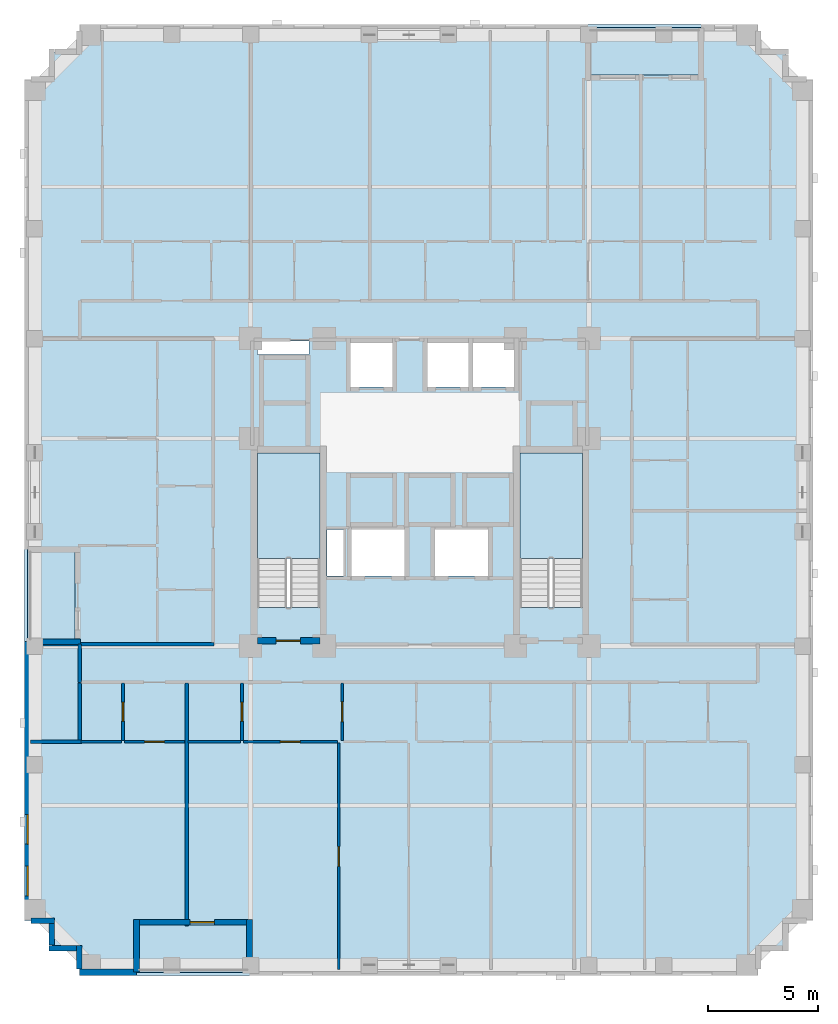
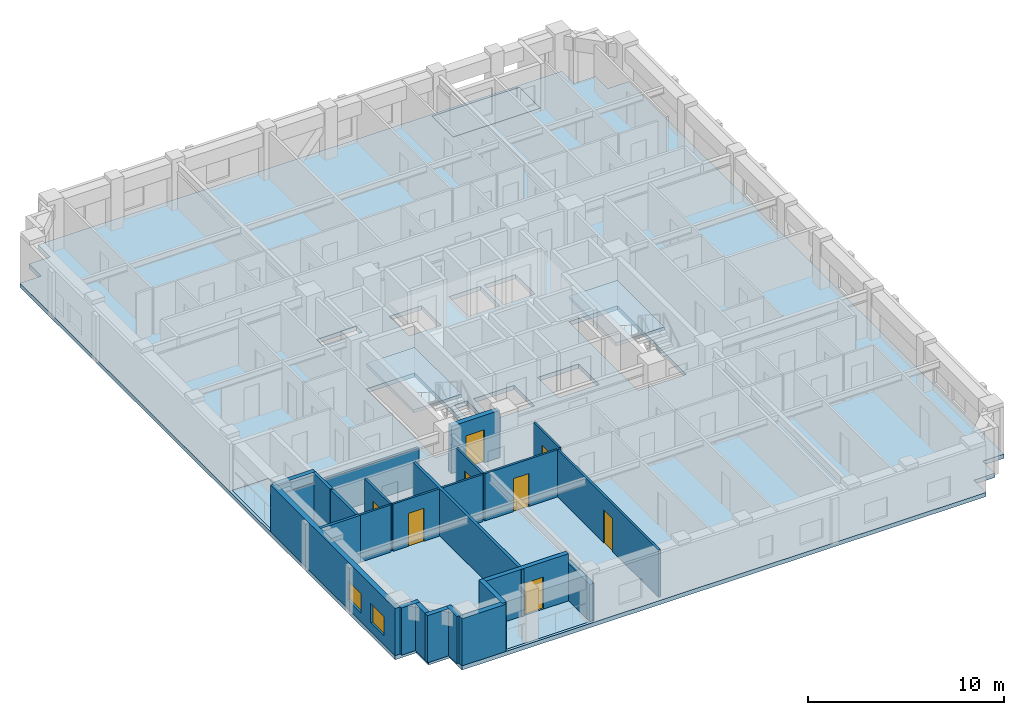
# One storey, part 2 of 12: 24 walls, 8 doors, 6 slabs, 2 windows, 10 openings, 2 elements without a shape of their own.
"""IFC4 building model written with IfcOpenShell, lengths in metres."""

from ifc_helpers import new_model, si_unit, derived_unit, direction, frame, frame_2d, origin, place, context, subcontext, project, spatial, polyline, rectangle, outline, extrude, material, layer, layer_set, type_object, element, fill, aggregate, save


model = new_model("IFC4")

# Units and contexts
model_context = context("Model", 3, precision=1e-05, world=origin(), true_north=direction((0.0, 1.0)))
body_context = subcontext(model_context, "Body", "Model", "MODEL_VIEW")
ifc_project = project(units=[si_unit("LENGTHUNIT", "METRE"), si_unit("AREAUNIT", "SQUARE_METRE"), si_unit("VOLUMEUNIT", "CUBIC_METRE"), si_unit("PLANEANGLEUNIT", "RADIAN"), si_unit("MASSUNIT", "GRAM", prefix="KILO"), derived_unit("THERMALTRANSMITTANCEUNIT", [(si_unit("MASSUNIT", "GRAM", prefix="KILO"), 1), (si_unit("TIMEUNIT", "SECOND"), -3), (si_unit("THERMODYNAMICTEMPERATUREUNIT", "KELVIN"), -1)])], contexts=[model_context])

# Site, building, storey
site_placement = place(None, origin())
site = spatial("IfcSite", under=ifc_project, at=site_placement, CompositionType="ELEMENT")
building_placement = place(site_placement, origin())
building = spatial("IfcBuilding", under=site, at=building_placement, Name="Korrvale Station Residences", CompositionType="ELEMENT")
storey_placement = place(building_placement, frame((0.0, 0.0, 103.89990234375)))
storey = spatial("IfcBuildingStorey", under=building, at=storey_placement, Name="L29", CompositionType="ELEMENT", Elevation=103.89990234375)

# Slabs
ifc_material_1 = material(Name="Concrete C50/60", Category="concrete")
ifc_layer_1 = layer(ifc_material_1, 0.219970703125, Name="Concrete C50/60")
ifc_layer_set_1 = layer_set([ifc_layer_1], Name="Concrete C50/60")
slab_type_1 = type_object("IfcSlabType", Name="SLB-BAL-220", PredefinedType="FLOOR", material=ifc_layer_set_1)
slab_1_placement = place(storey_placement, frame((0.0, 0.0, -0.219970703125)))
element("IfcSlab", 1, at=slab_1_placement, inside=storey, type_object=slab_type_1, Name="L29 Recessed Loggia Balcony Slab BAL-L29-S1", PredefinedType="FLOOR", context=body_context, shape_type="SweptSolid", body=[
    extrude(outline(polyline([(12.60009765625, 0.14990234375), (17.75, 0.14990234375), (17.75, 2.300048828125), (12.60009765625, 2.300048828125), (12.60009765625, 0.14990234375)])), origin(), (0.0, 0.0, 1.0), 0.219970703125),
])
slab_2_placement = place(storey_placement, frame((0.0, 0.0, -0.219970703125)))
element("IfcSlab", 2, at=slab_2_placement, inside=storey, type_object=slab_type_1, Name="L29 Recessed Loggia Balcony Slab BAL-L29-N1", PredefinedType="FLOOR", context=body_context, shape_type="SweptSolid", body=[
    extrude(outline(polyline([(33.14990234375, 41.0), (38.300048828125, 41.0), (38.300048828125, 43.14990234375), (33.14990234375, 43.14990234375), (33.14990234375, 41.0)])), origin(), (0.0, 0.0, 1.0), 0.219970703125),
])
slab_3_placement = place(storey_placement, frame((0.0, 0.0, -0.219970703125)))
element("IfcSlab", 3, at=slab_3_placement, inside=storey, type_object=slab_type_1, Name="L29 Recessed Loggia Balcony Slab BAL-L29-W1", PredefinedType="FLOOR", context=body_context, shape_type="SweptSolid", body=[
    extrude(outline(polyline([(7.64990234375, 15.199951171875), (9.800048828125, 15.199951171875), (9.800048828125, 19.39990234375), (7.64990234375, 19.39990234375), (7.64990234375, 15.199951171875)])), origin(), (0.0, 0.0, 1.0), 0.219970703125),
])
ifc_layer_2 = layer(ifc_material_1, 0.260009765625, Name="Concrete C50/60")
ifc_layer_set_2 = layer_set([ifc_layer_2], Name="Concrete C50/60")
slab_type_2 = type_object("IfcSlabType", Name="SLB-FLR-260", PredefinedType="FLOOR", material=ifc_layer_set_2)
slab_4_placement = place(storey_placement, frame((0.0, 0.0, -0.260009765625)))
element("IfcSlab", 4, at=slab_4_placement, inside=storey, type_object=slab_type_2, Name="L29 Suspended Structural Floor Slab", PredefinedType="FLOOR", context=body_context, shape_type="SweptSolid", body=[
    extrude(outline(polyline([(10.0, 0.0), (40.89990234375, 0.0), (40.89990234375, 1.25), (42.14990234375, 1.25), (42.14990234375, 2.5), (43.39990234375, 2.5), (43.39990234375, 40.800048828125), (42.14990234375, 40.800048828125), (42.14990234375, 42.050048828125), (40.89990234375, 42.050048828125), (40.89990234375, 43.300048828125), (10.0, 43.300048828125), (10.0, 42.050048828125), (8.75, 42.050048828125), (8.75, 40.800048828125), (7.5, 40.800048828125), (7.5, 2.5), (8.75, 2.5), (8.75, 1.25), (10.0, 1.25), (10.0, 0.0)]), holes=[polyline([(20.949951171875, 16.751953125), (20.949951171875, 23.800048828125), (18.10009765625, 23.800048828125), (18.10009765625, 16.751953125), (20.949951171875, 16.751953125)]), polyline([(32.89990234375, 16.751953125), (32.89990234375, 23.800048828125), (30.050048828125, 23.800048828125), (30.050048828125, 16.751953125), (32.89990234375, 16.751953125)]), polyline([(22.35009765625, 26.800048828125), (24.25, 26.800048828125), (24.25, 28.800048828125), (22.35009765625, 28.800048828125), (22.35009765625, 26.800048828125)]), polyline([(25.85009765625, 26.800048828125), (27.7099609375, 26.800048828125), (27.7099609375, 28.800048828125), (25.85009765625, 28.800048828125), (25.85009765625, 26.800048828125)]), polyline([(27.929931640625, 26.800048828125), (29.7900390625, 26.800048828125), (29.7900390625, 28.800048828125), (27.929931640625, 28.800048828125), (27.929931640625, 26.800048828125)]), polyline([(22.39990234375, 18.199951171875), (24.800048828125, 18.199951171875), (24.800048828125, 20.300048828125), (22.39990234375, 20.300048828125), (22.39990234375, 18.199951171875)]), polyline([(26.199951171875, 18.199951171875), (28.60009765625, 18.199951171875), (28.60009765625, 20.300048828125), (26.199951171875, 20.300048828125), (26.199951171875, 18.199951171875)]), polyline([(18.10009765625, 28.280029296875), (20.449951171875, 28.280029296875), (20.449951171875, 28.8798828125), (18.10009765625, 28.8798828125), (18.10009765625, 28.280029296875)]), polyline([(21.280029296875, 18.199951171875), (22.02001953125, 18.199951171875), (22.02001953125, 20.300048828125), (21.280029296875, 20.300048828125), (21.280029296875, 18.199951171875)]), polyline([(12.60009765625, 0.14990234375), (17.75, 0.14990234375), (17.75, 2.300048828125), (12.60009765625, 2.300048828125), (12.60009765625, 0.14990234375)]), polyline([(33.14990234375, 41.0), (38.300048828125, 41.0), (38.300048828125, 43.14990234375), (33.14990234375, 43.14990234375), (33.14990234375, 41.0)]), polyline([(7.64990234375, 15.199951171875), (9.800048828125, 15.199951171875), (9.800048828125, 19.39990234375), (7.64990234375, 19.39990234375), (7.64990234375, 15.199951171875)])]), origin(), (0.0, 0.0, 1.0), 0.260009765625),
])

# Stair, slab
stair_type = type_object("IfcStairType", Name="STR-DL-1350-18R-1778", PredefinedType="HALF_TURN_STAIR", material=ifc_material_1)
stair_1_placement = place(storey_placement, origin())
stair_1 = element("IfcStair", 5, at=stair_1_placement, inside=storey, type_object=stair_type, Name="L29 Exit Stair 1", PredefinedType="HALF_TURN_STAIR")
ifc_layer_3 = layer(ifc_material_1, 0.199951171875, Name="Concrete C50/60")
ifc_layer_set_3 = layer_set([ifc_layer_3], Name="Concrete C50/60")
slab_type_3 = type_object("IfcSlabType", Name="SLB-LND-200", PredefinedType="LANDING", material=ifc_layer_set_3)
slab_5_placement = place(storey_placement, frame((0.0, 0.0, 1.400146484375)))
slab_5 = element("IfcSlab", 6, at=slab_5_placement, type_object=slab_type_3, Name="ST-1 landing 1", PredefinedType="LANDING", context=body_context, shape_type="SweptSolid", body=[
    extrude(outline(polyline([(20.949951171875, 18.989990234375), (20.949951171875, 23.800048828125), (18.10009765625, 23.800048828125), (18.10009765625, 18.989990234375), (20.949951171875, 18.989990234375)])), origin(), (0.0, 0.0, 1.0), 0.199951171875),
])
aggregate(stair_1, [slab_5])

stair_2_placement = place(storey_placement, origin())
stair_2 = element("IfcStair", 7, at=stair_2_placement, inside=storey, type_object=stair_type, Name="L29 Exit Stair 2", PredefinedType="HALF_TURN_STAIR")
slab_6_placement = place(storey_placement, frame((0.0, 0.0, 1.400146484375)))
slab_6 = element("IfcSlab", 8, at=slab_6_placement, type_object=slab_type_3, Name="ST-2 landing 1", PredefinedType="LANDING", context=body_context, shape_type="SweptSolid", body=[
    extrude(outline(polyline([(32.89990234375, 18.989990234375), (32.89990234375, 23.800048828125), (30.050048828125, 23.800048828125), (30.050048828125, 18.989990234375), (32.89990234375, 18.989990234375)])), origin(), (0.0, 0.0, 1.0), 0.199951171875),
])
aggregate(stair_2, [slab_6])

# Wall, opening, door
ifc_material_2 = material(Name="Concrete C60/75", Category="concrete")
ifc_layer_4 = layer(ifc_material_2, 0.300048828125, Name="Concrete C60/75")
ifc_layer_set_4 = layer_set([ifc_layer_4], Name="Concrete C60/75")
wall_type_1 = type_object("IfcWallType", Name="WAL-CORE-300-C60", PredefinedType="SHEAR", material=ifc_layer_set_4)
wall_1_placement = place(storey_placement, frame((18.10009765625, 15.25, 0.0), z_axis=(0.0, 0.0, 1.0), x_axis=(1.0, 0.0, 0.0)))
wall_1 = element("IfcWall", 9, at=wall_1_placement, inside=storey, type_object=wall_type_1, Name="L29 ST-1 Core Shear Wall South", PredefinedType="SHEAR", context=body_context, shape_type="SweptSolid", body=[
    extrude(rectangle(XDim=2.849853515625, YDim=0.300048828125, at=frame_2d((1.4248046875, 0.0))), origin(), (0.0, 0.0, 1.0), 2.940185546875),
])
opening_1_placement = place(wall_1_placement, frame((0.860107421875, 0.0, 0.0)))
opening_1 = element("IfcOpeningElement", 10, at=opening_1_placement, cuts=wall_1, Name="Opening SD-1100", PredefinedType="OPENING", context=body_context, shape_type="SweptSolid", body=[
    extrude(rectangle(XDim=1.10009765625, YDim=2.050048828125, at=frame_2d((0.550048828125, 1.02490234375))), frame((0.0, 0.16015625, 0.0), z_axis=(0.0, -1.0, 0.0), x_axis=(1.0, 0.0, 0.0)), (0.0, 0.0, 1.0), 0.320068359375),
])
ifc_material_3 = material(Name="Hollow-metal fire-rated stair door with closer", Category="steel")
door_type_1 = type_object("IfcDoorType", Name="DR-STAIR-1100", OperationType="NOTDEFINED", PredefinedType="DOOR", material=ifc_material_3)
door_1_placement = place(opening_1_placement, origin())
door_1 = element("IfcDoor", 11, at=door_1_placement, inside=storey, type_object=door_type_1, Name="L29 ST-1 Exit Stair Door", OperationType="SINGLE_SWING_LEFT", OverallHeight=2.050048828125, OverallWidth=1.10009765625, PredefinedType="DOOR", context=body_context, shape_type="SweptSolid", body=[
    extrude(rectangle(XDim=1.10009765625, YDim=2.050048828125, at=frame_2d((0.550048828125, 1.02490234375))), frame((0.0, 0.02490234375, 0.0), z_axis=(0.0, -1.0, 0.0), x_axis=(1.0, 0.0, 0.0)), (0.0, 0.0, 1.0), 0.050048828125),
])
fill(opening_1, door_1)

# Wall
ifc_material_4 = material(Name="Precast concrete C45/55", Category="concrete")
ifc_layer_5 = layer(ifc_material_4, 0.260009765625, Name="Precast concrete C45/55")
ifc_layer_set_5 = layer_set([ifc_layer_5], Name="Precast concrete C45/55")
wall_type_2 = type_object("IfcWallType", Name="WAL-EXT-LOG260", PredefinedType="SOLIDWALL", material=ifc_layer_set_5)
wall_2_placement = place(storey_placement, frame((17.75, 0.159912109375, 0.0), z_axis=(0.0, 0.0, 1.0), x_axis=(0.0, 1.0, 0.0)))
element("IfcWall", 12, at=wall_2_placement, inside=storey, type_object=wall_type_2, Name="L29 Recessed Loggia Wall BAL-L29-S1-L", PredefinedType="SOLIDWALL", context=body_context, shape_type="SweptSolid", body=[
    extrude(rectangle(XDim=2.400146484375, YDim=0.260009765625, at=frame_2d((1.2001953125, 0.0))), origin(), (0.0, 0.0, 1.0), 2.31298828125),
])

# Wall, opening, door
wall_3_placement = place(storey_placement, frame((17.615966796875, 2.429931640625, 0.0), z_axis=(0.0, 0.0, 1.0), x_axis=(-1.0, 0.0, 0.0)))
wall_3 = element("IfcWall", 13, at=wall_3_placement, inside=storey, type_object=wall_type_2, Name="L29 Recessed Loggia Wall BAL-L29-S1-B", PredefinedType="SOLIDWALL", context=body_context, shape_type="SweptSolid", body=[
    extrude(rectangle(XDim=4.882080078125, YDim=0.260009765625, at=frame_2d((2.44091796875, 0.0))), origin(), (0.0, 0.0, 1.0), 2.940185546875),
])
opening_2_placement = place(wall_3_placement, frame((1.469970703125, 0.0, 0.0)))
opening_2 = element("IfcOpeningElement", 14, at=opening_2_placement, cuts=wall_3, Name="Opening BD-01", PredefinedType="OPENING", context=body_context, shape_type="SweptSolid", body=[
    extrude(rectangle(XDim=1.10009765625, YDim=2.0, at=frame_2d((0.550048828125, 1.0))), frame((0.0, 0.14013671875, 0.0), z_axis=(0.0, -1.0, 0.0), x_axis=(1.0, 0.0, 0.0)), (0.0, 0.0, 1.0), 0.280029296875),
])
ifc_material_5 = material(Name="Exterior thermally broken aluminium glazed balcony door", Category="aluminium")
door_type_2 = type_object("IfcDoorType", Name="DR-EXT-BAL", OperationType="NOTDEFINED", PredefinedType="DOOR", material=ifc_material_5)
door_2_placement = place(opening_2_placement, origin())
door_2 = element("IfcDoor", 15, at=door_2_placement, inside=storey, type_object=door_type_2, Name="L29 Loggia Balcony Door BAL-L29-S1", OperationType="SINGLE_SWING_RIGHT", OverallHeight=2.0, OverallWidth=1.10009765625, PredefinedType="DOOR", context=body_context, shape_type="SweptSolid", body=[
    extrude(rectangle(XDim=1.10009765625, YDim=2.0, at=frame_2d((0.550048828125, 1.0))), frame((0.0, 0.02490234375, 0.0), z_axis=(0.0, -1.0, 0.0), x_axis=(1.0, 0.0, 0.0)), (0.0, 0.0, 1.0), 0.050048828125),
])
fill(opening_2, door_2)

# Walls
for number, where, z_axis, x_axis, name in (
    (16, (12.60009765625, 2.56005859375, 0.0), (0.0, 0.0, 1.0), (0.0, -1.0, 0.0), "L29 Recessed Loggia Wall BAL-L29-S1-R"),
    (17, (7.659912109375, 15.199951171875, 0.0), (0.0, 0.0, 1.0), (1.0, 0.0, 0.0), "L29 Recessed Loggia Wall BAL-L29-W1-L"),
):
    element("IfcWall", number, at=place(storey_placement, frame(where, z_axis=z_axis, x_axis=x_axis)), inside=storey, type_object=wall_type_2, Name=name, PredefinedType="SOLIDWALL", context=body_context, shape_type="SweptSolid", body=[
        extrude(rectangle(XDim=2.400146484375, YDim=0.260009765625, at=frame_2d((1.2001953125, 0.0))), origin(), (0.0, 0.0, 1.0), 2.940185546875),
    ])
wall_4_placement = place(storey_placement, frame((10.0, 0.302001953125, 0.0), z_axis=(0.0, 0.0, 1.0), x_axis=(0.0, 1.0, 0.0)))
element("IfcWall", 18, at=wall_4_placement, inside=storey, type_object=wall_type_2, Name="L29 Serrated Corner Precast Step SW-1", PredefinedType="SOLIDWALL", context=body_context, shape_type="SweptSolid", body=[
    extrude(rectangle(XDim=1.077880859375, YDim=0.260009765625, at=frame_2d((0.5390625, 0.0))), origin(), (0.0, 0.0, 1.0), 2.940185546875),
])
wall_5_placement = place(storey_placement, frame((9.867919921875, 1.25, 0.0), z_axis=(0.0, 0.0, 1.0), x_axis=(-1.0, 0.0, 0.0)))
element("IfcWall", 19, at=wall_5_placement, inside=storey, type_object=wall_type_2, Name="L29 Serrated Corner Precast Step SW-2", PredefinedType="SOLIDWALL", context=body_context, shape_type="SweptSolid", body=[
    extrude(rectangle(XDim=1.247802734375, YDim=0.260009765625, at=frame_2d((0.6240234375, 0.0))), origin(), (0.0, 0.0, 1.0), 2.940185546875),
])
wall_6_placement = place(storey_placement, frame((8.75, 1.382080078125, 0.0), z_axis=(0.0, 0.0, 1.0), x_axis=(0.0, 1.0, 0.0)))
element("IfcWall", 20, at=wall_6_placement, inside=storey, type_object=wall_type_2, Name="L29 Serrated Corner Precast Step SW-3", PredefinedType="SOLIDWALL", context=body_context, shape_type="SweptSolid", body=[
    extrude(rectangle(XDim=0.98583984375, YDim=0.260009765625, at=frame_2d((0.492919921875, 0.0))), origin(), (0.0, 0.0, 1.0), 2.940185546875),
])
wall_7_placement = place(storey_placement, frame((8.8798828125, 2.5, 0.0), z_axis=(0.0, 0.0, 1.0), x_axis=(-1.0, 0.0, 0.0)))
element("IfcWall", 21, at=wall_7_placement, inside=storey, type_object=wall_type_2, Name="L29 Serrated Corner Precast Step SW-4", PredefinedType="SOLIDWALL", context=body_context, shape_type="SweptSolid", body=[
    extrude(rectangle(XDim=1.077880859375, YDim=0.260009765625, at=frame_2d((0.5390625, 0.0))), origin(), (0.0, 0.0, 1.0), 2.940185546875),
])
ifc_layer_6 = layer(ifc_material_4, 0.300048828125, Name="Precast concrete C45/55")
ifc_layer_set_6 = layer_set([ifc_layer_6], Name="Precast concrete C45/55")
wall_type_3 = type_object("IfcWallType", Name="WAL-EXT-PC300", PredefinedType="SOLIDWALL", material=ifc_layer_set_6)
wall_8_placement = place(storey_placement, frame((12.60009765625, 0.14990234375, 0.0), z_axis=(0.0, 0.0, 1.0), x_axis=(-1.0, 0.0, 0.0)))
element("IfcWall", 22, at=wall_8_placement, inside=storey, type_object=wall_type_3, Name="L29 South Exterior Precast Wall 2", PredefinedType="SOLIDWALL", context=body_context, shape_type="SweptSolid", body=[
    extrude(rectangle(XDim=2.60009765625, YDim=0.300048828125, at=frame_2d((1.300048828125, 0.0))), origin(), (0.0, 0.0, 1.0), 2.940185546875),
])

# Wall, openings, windows
wall_9_placement = place(storey_placement, frame((7.64990234375, 2.5, 0.0), z_axis=(0.0, 0.0, 1.0), x_axis=(0.0, 1.0, 0.0)))
wall_9 = element("IfcWall", 23, at=wall_9_placement, inside=storey, type_object=wall_type_3, Name="L29 West Exterior Precast Wall 1", PredefinedType="SOLIDWALL", context=body_context, shape_type="SweptSolid", body=[
    extrude(rectangle(XDim=12.699951171875, YDim=0.300048828125, at=frame_2d((6.35009765625, 0.0))), origin(), (0.0, 0.0, 1.0), 2.940185546875),
])
opening_3_placement = place(wall_9_placement, frame((3.48193359375, 0.0, 0.550048828125)))
opening_3 = element("IfcOpeningElement", 24, at=opening_3_placement, cuts=wall_9, Name="Opening W-10", PredefinedType="OPENING", context=body_context, shape_type="SweptSolid", body=[
    extrude(rectangle(XDim=1.35009765625, YDim=1.199951171875, at=frame_2d((0.675048828125, 0.60009765625))), frame((0.0, 0.16015625, 0.0), z_axis=(0.0, -1.0, 0.0), x_axis=(1.0, 0.0, 0.0)), (0.0, 0.0, 1.0), 0.320068359375),
])
opening_4_placement = place(wall_9_placement, frame((1.135009765625, 0.0, 0.550048828125)))
opening_4 = element("IfcOpeningElement", 25, at=opening_4_placement, cuts=wall_9, Name="Opening W-10", PredefinedType="OPENING", context=body_context, shape_type="SweptSolid", body=[
    extrude(rectangle(XDim=1.35009765625, YDim=1.199951171875, at=frame_2d((0.675048828125, 0.60009765625))), frame((0.0, 0.16015625, 0.0), z_axis=(0.0, -1.0, 0.0), x_axis=(1.0, 0.0, 0.0)), (0.0, 0.0, 1.0), 0.320068359375),
])
ifc_material_6 = material(Name="Thermally broken aluminium frame with triple low-e glazing", Category="aluminium")
window_type = type_object("IfcWindowType", Name="WIN-W10", PartitioningType="SINGLE_PANEL", PredefinedType="WINDOW", material=ifc_material_6)
window_1_placement = place(opening_3_placement, origin())
window_1 = element("IfcWindow", 26, at=window_1_placement, inside=storey, type_object=window_type, Name="L29 Punched Window 01", OverallHeight=1.199951171875, OverallWidth=1.35009765625, PartitioningType="SINGLE_PANEL", PredefinedType="WINDOW", context=body_context, shape_type="SweptSolid", body=[
    extrude(rectangle(XDim=1.35009765625, YDim=1.199951171875, at=frame_2d((0.675048828125, 0.60009765625))), frame((0.0, 0.030029296875, 0.0), z_axis=(0.0, -1.0, 0.0), x_axis=(1.0, 0.0, 0.0)), (0.0, 0.0, 1.0), 0.06005859375),
])
fill(opening_3, window_1)
window_2_placement = place(opening_4_placement, origin())
window_2 = element("IfcWindow", 27, at=window_2_placement, inside=storey, type_object=window_type, Name="L29 Punched Window 02", OverallHeight=1.199951171875, OverallWidth=1.35009765625, PartitioningType="SINGLE_PANEL", PredefinedType="WINDOW", context=body_context, shape_type="SweptSolid", body=[
    extrude(rectangle(XDim=1.35009765625, YDim=1.199951171875, at=frame_2d((0.675048828125, 0.60009765625))), frame((0.0, 0.030029296875, 0.0), z_axis=(0.0, -1.0, 0.0), x_axis=(1.0, 0.0, 0.0)), (0.0, 0.0, 1.0), 0.06005859375),
])
fill(opening_4, window_2)

# Wall, opening, door
ifc_material_7 = material(Name="Acoustic steel-stud gypsum board partition", Category="steel")
ifc_layer_7 = layer(ifc_material_7, 0.1201171875, Name="Acoustic steel-stud gypsum board partition")
ifc_layer_set_7 = layer_set([ifc_layer_7], Name="Acoustic steel-stud gypsum board partition")
wall_type_4 = type_object("IfcWallType", Name="WAL-PART-125", PredefinedType="PARTITIONING", material=ifc_layer_set_7)
wall_10_placement = place(storey_placement, frame((11.989990234375, 10.7099609375, 0.0), z_axis=(0.0, 0.0, 1.0), x_axis=(0.0, 1.0, 0.0)))
wall_10 = element("IfcWall", 28, at=wall_10_placement, inside=storey, type_object=wall_type_4, Name="L29 Suite Partition U01-V01", PredefinedType="PARTITIONING", context=body_context, shape_type="SweptSolid", body=[
    extrude(rectangle(XDim=2.60009765625, YDim=0.1201171875, at=frame_2d((1.300048828125, 0.0))), origin(), (0.0, 0.0, 1.0), 2.940185546875),
])
opening_5_placement = place(wall_10_placement, frame((0.8701171875, 0.0, 0.0)))
opening_5 = element("IfcOpeningElement", 29, at=opening_5_placement, cuts=wall_10, Name="Opening DB-860", PredefinedType="OPENING", context=body_context, shape_type="SweptSolid", body=[
    extrude(rectangle(XDim=0.860107421875, YDim=2.050048828125, at=frame_2d((0.43017578125, 1.02490234375))), frame((0.0, 0.070068359375, 0.0), z_axis=(0.0, -1.0, 0.0), x_axis=(1.0, 0.0, 0.0)), (0.0, 0.0, 1.0), 0.14013671875),
])
ifc_material_8 = material(Name="Moisture-resistant solid-core bathroom door", Category="timber")
door_type_3 = type_object("IfcDoorType", Name="DR-BATH-860", OperationType="NOTDEFINED", PredefinedType="DOOR", material=ifc_material_8)
door_3_placement = place(opening_5_placement, origin())
door_3 = element("IfcDoor", 30, at=door_3_placement, inside=storey, type_object=door_type_3, Name="L29 Studio Apartment L29-U01 Bathroom Door", OperationType="SINGLE_SWING_LEFT", OverallHeight=2.050048828125, OverallWidth=0.860107421875, PredefinedType="DOOR", context=body_context, shape_type="SweptSolid", body=[
    extrude(rectangle(XDim=0.860107421875, YDim=2.050048828125, at=frame_2d((0.43017578125, 1.02490234375))), frame((0.0, 0.02490234375, 0.0), z_axis=(0.0, -1.0, 0.0), x_axis=(1.0, 0.0, 0.0)), (0.0, 0.0, 1.0), 0.050048828125),
])
fill(opening_5, door_3)

# Wall
wall_11_placement = place(storey_placement, frame((10.080078125, 10.64990234375, 0.0), z_axis=(0.0, 0.0, 1.0), x_axis=(1.0, 0.0, 0.0)))
element("IfcWall", 31, at=wall_11_placement, inside=storey, type_object=wall_type_4, Name="L29 Suite Partition U01-H02", PredefinedType="PARTITIONING", context=body_context, shape_type="SweptSolid", body=[
    extrude(rectangle(XDim=1.849853515625, YDim=0.1201171875, at=frame_2d((0.9248046875, 0.0))), origin(), (0.0, 0.0, 1.0), 2.940185546875),
])

# Wall, opening, door
wall_12_placement = place(storey_placement, frame((12.050048828125, 10.64990234375, 0.0), z_axis=(0.0, 0.0, 1.0), x_axis=(1.0, 0.0, 0.0)))
wall_12 = element("IfcWall", 32, at=wall_12_placement, inside=storey, type_object=wall_type_4, Name="L29 Suite Partition U01-H12", PredefinedType="PARTITIONING", context=body_context, shape_type="SweptSolid", body=[
    extrude(rectangle(XDim=2.73583984375, YDim=0.1201171875, at=frame_2d((1.367919921875, 0.0))), origin(), (0.0, 0.0, 1.0), 2.940185546875),
])
opening_6_placement = place(wall_12_placement, frame((0.91796875, 0.0, 0.0)))
opening_6 = element("IfcOpeningElement", 33, at=opening_6_placement, cuts=wall_12, Name="Opening DI-900", PredefinedType="OPENING", context=body_context, shape_type="SweptSolid", body=[
    extrude(rectangle(XDim=0.89990234375, YDim=2.050048828125, at=frame_2d((0.449951171875, 1.02490234375))), frame((0.0, 0.070068359375, 0.0), z_axis=(0.0, -1.0, 0.0), x_axis=(1.0, 0.0, 0.0)), (0.0, 0.0, 1.0), 0.14013671875),
])
ifc_material_9 = material(Name="Painted solid-core timber interior room door", Category="wood")
door_type_4 = type_object("IfcDoorType", Name="DR-INT-900", OperationType="NOTDEFINED", PredefinedType="DOOR", material=ifc_material_9)
door_4_placement = place(opening_6_placement, origin())
door_4 = element("IfcDoor", 34, at=door_4_placement, inside=storey, type_object=door_type_4, Name="L29 Studio Apartment L29-U01 Kitchen Door", OperationType="SINGLE_SWING_RIGHT", OverallHeight=2.050048828125, OverallWidth=0.89990234375, PredefinedType="DOOR", context=body_context, shape_type="SweptSolid", body=[
    extrude(rectangle(XDim=0.89990234375, YDim=2.050048828125, at=frame_2d((0.449951171875, 1.02490234375))), frame((0.0, 0.02490234375, 0.0), z_axis=(0.0, -1.0, 0.0), x_axis=(1.0, 0.0, 0.0)), (0.0, 0.0, 1.0), 0.050048828125),
])
fill(opening_6, door_4)

wall_13_placement = place(storey_placement, frame((17.406005859375, 10.7099609375, 0.0), z_axis=(0.0, 0.0, 1.0), x_axis=(0.0, 1.0, 0.0)))
wall_13 = element("IfcWall", 35, at=wall_13_placement, inside=storey, type_object=wall_type_4, Name="L29 Suite Partition U02-V01", PredefinedType="PARTITIONING", context=body_context, shape_type="SweptSolid", body=[
    extrude(rectangle(XDim=2.60009765625, YDim=0.1201171875, at=frame_2d((1.300048828125, 0.0))), origin(), (0.0, 0.0, 1.0), 2.940185546875),
])
opening_7_placement = place(wall_13_placement, frame((0.8701171875, 0.0, 0.0)))
opening_7 = element("IfcOpeningElement", 36, at=opening_7_placement, cuts=wall_13, Name="Opening DB-860", PredefinedType="OPENING", context=body_context, shape_type="SweptSolid", body=[
    extrude(rectangle(XDim=0.860107421875, YDim=2.050048828125, at=frame_2d((0.43017578125, 1.02490234375))), frame((0.0, 0.070068359375, 0.0), z_axis=(0.0, -1.0, 0.0), x_axis=(1.0, 0.0, 0.0)), (0.0, 0.0, 1.0), 0.14013671875),
])
door_5_placement = place(opening_7_placement, origin())
door_5 = element("IfcDoor", 37, at=door_5_placement, inside=storey, type_object=door_type_3, Name="L29 Apartment 2BR L29-U02 Bathroom Door", OperationType="SINGLE_SWING_LEFT", OverallHeight=2.050048828125, OverallWidth=0.860107421875, PredefinedType="DOOR", context=body_context, shape_type="SweptSolid", body=[
    extrude(rectangle(XDim=0.860107421875, YDim=2.050048828125, at=frame_2d((0.43017578125, 1.02490234375))), frame((0.0, 0.02490234375, 0.0), z_axis=(0.0, -1.0, 0.0), x_axis=(1.0, 0.0, 0.0)), (0.0, 0.0, 1.0), 0.050048828125),
])
fill(opening_7, door_5)

# Wall
wall_14_placement = place(storey_placement, frame((14.946044921875, 10.64990234375, 0.0), z_axis=(0.0, 0.0, 1.0), x_axis=(1.0, 0.0, 0.0)))
element("IfcWall", 38, at=wall_14_placement, inside=storey, type_object=wall_type_4, Name="L29 Suite Partition U02-H05", PredefinedType="PARTITIONING", context=body_context, shape_type="SweptSolid", body=[
    extrude(rectangle(XDim=2.39990234375, YDim=0.1201171875, at=frame_2d((1.199951171875, 0.0))), origin(), (0.0, 0.0, 1.0), 2.940185546875),
])

# Wall, opening, door
wall_15_placement = place(storey_placement, frame((21.966064453125, 10.7099609375, 0.0), z_axis=(0.0, 0.0, 1.0), x_axis=(0.0, 1.0, 0.0)))
wall_15 = element("IfcWall", 39, at=wall_15_placement, inside=storey, type_object=wall_type_4, Name="L29 Suite Partition U02-V12", PredefinedType="PARTITIONING", context=body_context, shape_type="SweptSolid", body=[
    extrude(rectangle(XDim=2.60009765625, YDim=0.1201171875, at=frame_2d((1.300048828125, 0.0))), origin(), (0.0, 0.0, 1.0), 2.940185546875),
])
opening_8_placement = place(wall_15_placement, frame((0.85009765625, 0.0, 0.0)))
opening_8 = element("IfcOpeningElement", 40, at=opening_8_placement, cuts=wall_15, Name="Opening DI-900", PredefinedType="OPENING", context=body_context, shape_type="SweptSolid", body=[
    extrude(rectangle(XDim=0.89990234375, YDim=2.050048828125, at=frame_2d((0.449951171875, 1.02490234375))), frame((0.0, 0.070068359375, 0.0), z_axis=(0.0, -1.0, 0.0), x_axis=(1.0, 0.0, 0.0)), (0.0, 0.0, 1.0), 0.14013671875),
])
door_6_placement = place(opening_8_placement, origin())
door_6 = element("IfcDoor", 41, at=door_6_placement, inside=storey, type_object=door_type_4, Name="L29 Apartment 2BR L29-U02 Kitchen Door", OperationType="SINGLE_SWING_RIGHT", OverallHeight=2.050048828125, OverallWidth=0.89990234375, PredefinedType="DOOR", context=body_context, shape_type="SweptSolid", body=[
    extrude(rectangle(XDim=0.89990234375, YDim=2.050048828125, at=frame_2d((0.449951171875, 1.02490234375))), frame((0.0, 0.02490234375, 0.0), z_axis=(0.0, -1.0, 0.0), x_axis=(1.0, 0.0, 0.0)), (0.0, 0.0, 1.0), 0.050048828125),
])
fill(opening_8, door_6)

wall_16_placement = place(storey_placement, frame((17.466064453125, 10.64990234375, 0.0), z_axis=(0.0, 0.0, 1.0), x_axis=(1.0, 0.0, 0.0)))
wall_16 = element("IfcWall", 42, at=wall_16_placement, inside=storey, type_object=wall_type_4, Name="L29 Suite Partition U02-H15", PredefinedType="PARTITIONING", context=body_context, shape_type="SweptSolid", body=[
    extrude(rectangle(XDim=4.280029296875, YDim=0.1201171875, at=frame_2d((2.14013671875, 0.0))), origin(), (0.0, 0.0, 1.0), 2.940185546875),
])
opening_9_placement = place(wall_16_placement, frame((1.68994140625, 0.0, 0.0)))
opening_9 = element("IfcOpeningElement", 43, at=opening_9_placement, cuts=wall_16, Name="Opening DI-900", PredefinedType="OPENING", context=body_context, shape_type="SweptSolid", body=[
    extrude(rectangle(XDim=0.89990234375, YDim=2.050048828125, at=frame_2d((0.449951171875, 1.02490234375))), frame((0.0, 0.070068359375, 0.0), z_axis=(0.0, -1.0, 0.0), x_axis=(1.0, 0.0, 0.0)), (0.0, 0.0, 1.0), 0.14013671875),
])
door_7_placement = place(opening_9_placement, origin())
door_7 = element("IfcDoor", 44, at=door_7_placement, inside=storey, type_object=door_type_4, Name="L29 Apartment 2BR L29-U02 Kitchen Door", OperationType="SINGLE_SWING_LEFT", OverallHeight=2.050048828125, OverallWidth=0.89990234375, PredefinedType="DOOR", context=body_context, shape_type="SweptSolid", body=[
    extrude(rectangle(XDim=0.89990234375, YDim=2.050048828125, at=frame_2d((0.449951171875, 1.02490234375))), frame((0.0, 0.02490234375, 0.0), z_axis=(0.0, -1.0, 0.0), x_axis=(1.0, 0.0, 0.0)), (0.0, 0.0, 1.0), 0.050048828125),
])
fill(opening_9, door_7)

wall_17_placement = place(storey_placement, frame((21.805908203125, 0.280029296875, 0.0), z_axis=(0.0, 0.0, 1.0), x_axis=(0.0, 1.0, 0.0)))
wall_17 = element("IfcWall", 45, at=wall_17_placement, inside=storey, type_object=wall_type_4, Name="L29 Suite Partition U02-V56", PredefinedType="PARTITIONING", context=body_context, shape_type="SweptSolid", body=[
    extrude(rectangle(XDim=10.31005859375, YDim=0.1201171875, at=frame_2d((5.155029296875, 0.0))), origin(), (0.0, 0.0, 1.0), 2.940185546875),
])
opening_10_placement = place(wall_17_placement, frame((4.68994140625, 0.0, 0.0)))
opening_10 = element("IfcOpeningElement", 46, at=opening_10_placement, cuts=wall_17, Name="Opening DI-900", PredefinedType="OPENING", context=body_context, shape_type="SweptSolid", body=[
    extrude(rectangle(XDim=0.89990234375, YDim=2.050048828125, at=frame_2d((0.449951171875, 1.02490234375))), frame((0.0, 0.070068359375, 0.0), z_axis=(0.0, -1.0, 0.0), x_axis=(1.0, 0.0, 0.0)), (0.0, 0.0, 1.0), 0.14013671875),
])
door_8_placement = place(opening_10_placement, origin())
door_8 = element("IfcDoor", 47, at=door_8_placement, inside=storey, type_object=door_type_4, Name="L29 Apartment 2BR L29-U02 Living and Dining Room Door", OperationType="SINGLE_SWING_LEFT", OverallHeight=2.050048828125, OverallWidth=0.89990234375, PredefinedType="DOOR", context=body_context, shape_type="SweptSolid", body=[
    extrude(rectangle(XDim=0.89990234375, YDim=2.050048828125, at=frame_2d((0.449951171875, 1.02490234375))), frame((0.0, 0.02490234375, 0.0), z_axis=(0.0, -1.0, 0.0), x_axis=(1.0, 0.0, 0.0)), (0.0, 0.0, 1.0), 0.050048828125),
])
fill(opening_10, door_8)

# Walls
ifc_material_10 = material(Name="Fire-rated twin-stud gypsum and mineral wool shaftwall assembly", Category="gypsum")
ifc_layer_8 = layer(ifc_material_10, 0.159912109375, Name="Fire-rated twin-stud gypsum and mineral wool shaftwall assembly")
ifc_layer_set_8 = layer_set([ifc_layer_8], Name="Fire-rated twin-stud gypsum and mineral wool shaftwall assembly")
wall_type_5 = type_object("IfcWallType", Name="WAL-PART-200", PredefinedType="PARTITIONING", material=ifc_layer_set_8)
wall_18_placement = place(storey_placement, frame((10.02001953125, 13.35009765625, 0.0), z_axis=(0.0, 0.0, 1.0), x_axis=(0.0, 1.0, 0.0)))
element("IfcWall", 48, at=wall_18_placement, inside=storey, type_object=wall_type_5, Name="L29 Corridor South West Cap", PredefinedType="PARTITIONING", context=body_context, shape_type="SweptSolid", body=[
    extrude(rectangle(XDim=1.739990234375, YDim=0.159912109375, at=frame_2d((0.8701171875, 0.0))), origin(), (0.0, 0.0, 1.0), 2.940185546875),
])
wall_19_placement = place(storey_placement, frame((7.780029296875, 15.090087890625, 0.0), z_axis=(0.0, 0.0, 1.0), x_axis=(1.0, 0.0, 0.0)))
element("IfcWall", 49, at=wall_19_placement, inside=storey, type_object=wall_type_5, Name="L29 West Wing South Corridor Wall", PredefinedType="PARTITIONING", context=body_context, shape_type="SweptSolid", body=[
    extrude(rectangle(XDim=8.35986328125, YDim=0.159912109375, at=frame_2d((4.179931640625, 0.0))), origin(), (0.0, 0.0, 1.0), 2.31298828125),
])
wall_20_placement = place(storey_placement, frame((7.780029296875, 10.64990234375, 0.0), z_axis=(0.0, 0.0, 1.0), x_axis=(1.0, 0.0, 0.0)))
element("IfcWall", 50, at=wall_20_placement, inside=storey, type_object=wall_type_5, Name="L29 Corner Step Wall U01-L", PredefinedType="PARTITIONING", context=body_context, shape_type="SweptSolid", body=[
    extrude(rectangle(XDim=2.340087890625, YDim=0.159912109375, at=frame_2d((1.169921875, 0.0))), origin(), (0.0, 0.0, 1.0), 2.940185546875),
])
wall_21_placement = place(storey_placement, frame((10.02001953125, 10.64990234375, 0.0), z_axis=(0.0, 0.0, 1.0), x_axis=(0.0, 1.0, 0.0)))
element("IfcWall", 51, at=wall_21_placement, inside=storey, type_object=wall_type_5, Name="L29 Corner Step Cheek U01-L", PredefinedType="PARTITIONING", context=body_context, shape_type="SweptSolid", body=[
    extrude(rectangle(XDim=2.66015625, YDim=0.159912109375, at=frame_2d((1.330078125, 0.0))), origin(), (0.0, 0.0, 1.0), 2.940185546875),
])
wall_22_placement = place(storey_placement, frame((14.885986328125, 2.260009765625, 0.0), z_axis=(0.0, 0.0, 1.0), x_axis=(0.0, 1.0, 0.0)))
element("IfcWall", 52, at=wall_22_placement, inside=storey, type_object=wall_type_5, Name="L29 Demising Wall U02-W", PredefinedType="PARTITIONING", context=body_context, shape_type="SweptSolid", body=[
    extrude(rectangle(XDim=11.050048828125, YDim=0.159912109375, at=frame_2d((5.52490234375, 0.0))), origin(), (0.0, 0.0, 1.0), 2.940185546875),
])

save(model, "model.ifc")
